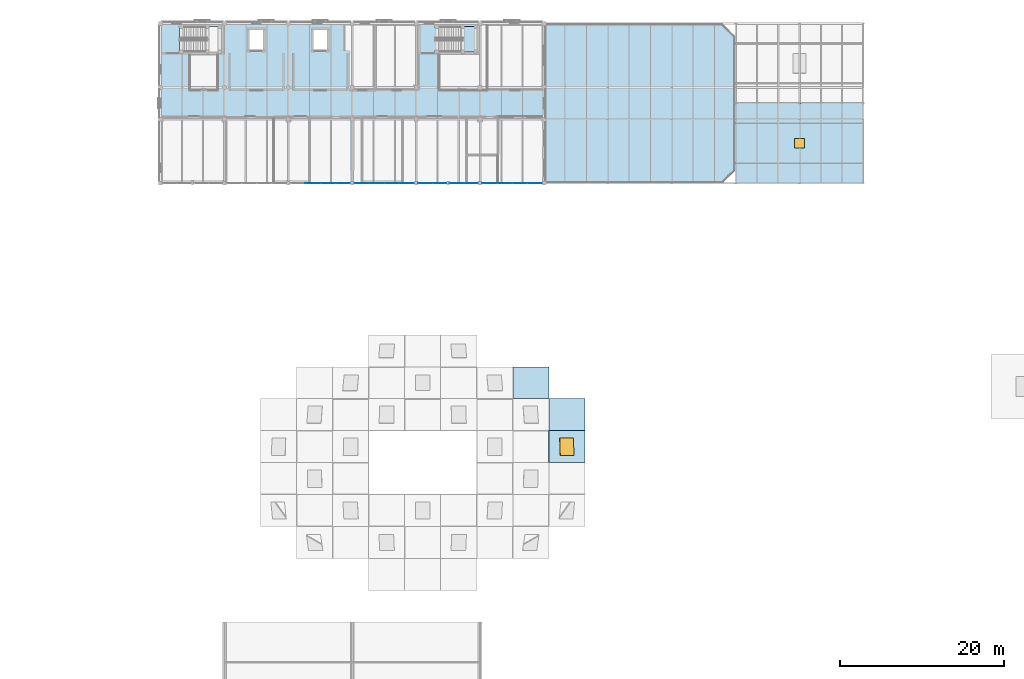
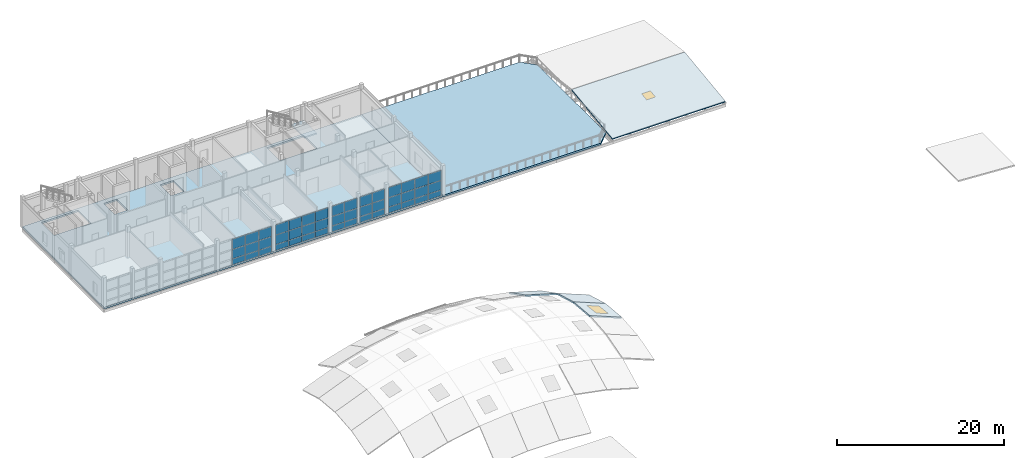
# One storey, part 23 of 45: 45 plates, 7 slabs, 2 windows, 2 openings, 6 elements without a shape of their own.
"""IFC4 building model written with IfcOpenShell, lengths in metres."""

from ifc_helpers import new_model, si_unit, direction, frame, origin, origin_2d, place, context, subcontext, project, spatial, polyline, rectangle, outline, extrude, material, layer, layer_set, type_object, element, fill, aggregate, save


model = new_model("IFC4")

# Units and contexts
model_context = context("Model", 3, precision=1e-05, world=origin(), true_north=direction((0.0, 1.0)))
body_context = subcontext(model_context, "Body", "Model", "MODEL_VIEW")
ifc_project = project(units=[si_unit("LENGTHUNIT", "METRE"), si_unit("AREAUNIT", "SQUARE_METRE"), si_unit("VOLUMEUNIT", "CUBIC_METRE"), si_unit("PLANEANGLEUNIT", "RADIAN"), si_unit("MASSUNIT", "GRAM", prefix="KILO")], contexts=[model_context])

# Site, building, storey
site_placement = place(None, origin())
site = spatial("IfcSite", under=ifc_project, at=site_placement, CompositionType="ELEMENT")
building_placement = place(site_placement, origin())
building = spatial("IfcBuilding", under=site, at=building_placement, Name="Celorna Specialist Clinic", CompositionType="ELEMENT")
storey_placement = place(building_placement, frame((0.0, 0.0, 18.60009765625)))
storey = spatial("IfcBuildingStorey", under=building, at=storey_placement, Name="L04", CompositionType="ELEMENT", Elevation=18.60009765625)

# Curtain wall, plates
ifc_material_1 = material(Name="Thermally broken aluminium and solar-control glass curtain wall", Category="aluminium")
ifc_layer_1 = layer(ifc_material_1, 0.159912109375, Name="Thermally broken aluminium and solar-control glass curtain wall")
ifc_layer_set_1 = layer_set([ifc_layer_1], Name="Thermally broken aluminium and solar-control glass curtain wall")
curtain_wall_type_1 = type_object("IfcCurtainWallType", Name="CW-76", PredefinedType="NOTDEFINED", material=ifc_layer_set_1)
curtain_wall_1_placement = place(storey_placement, origin())
curtain_wall_1 = element("IfcCurtainWall", 1, at=curtain_wall_1_placement, inside=storey, type_object=curtain_wall_type_1, Name="Curtain wall CW-76 #142", PredefinedType="NOTDEFINED")
ifc_material_2 = material(Name="Low-e double glazing", Category="glass")
ifc_layer_2 = layer(ifc_material_2, 0.028076171875, Name="Low-e double glazing")
ifc_layer_set_2 = layer_set([ifc_layer_2], Name="Low-e double glazing")
plate_type_1 = type_object("IfcPlateType", Name="CPN-01", PredefinedType="CURTAIN_PANEL", material=ifc_layer_set_2)
plate_1_placement = place(storey_placement, frame((84.67919921875, 96.5, 0.0498046875), z_axis=(0.0, 0.0, 1.0), x_axis=(-1.0, 0.0, 0.0)))
plate_1 = element("IfcPlate", 2, at=plate_1_placement, type_object=plate_type_1, Name="CW-76 panel 1.1", PredefinedType="CURTAIN_PANEL", context=body_context, shape_type="SweptSolid", body=[
    extrude(rectangle(XDim=1.68359375, YDim=0.028076171875, at=origin_2d()), origin(), (0.0, 0.0, 1.0), 0.824951171875),
])
plate_2_placement = place(storey_placement, frame((84.67919921875, 96.5, 0.9248046875), z_axis=(0.0, 0.0, 1.0), x_axis=(-1.0, 0.0, 0.0)))
plate_2 = element("IfcPlate", 3, at=plate_2_placement, type_object=plate_type_1, Name="CW-76 panel 1.2", PredefinedType="CURTAIN_PANEL", context=body_context, shape_type="SweptSolid", body=[
    extrude(rectangle(XDim=1.68359375, YDim=0.028076171875, at=origin_2d()), origin(), (0.0, 0.0, 1.0), 1.35009765625),
])
plate_3_placement = place(storey_placement, frame((84.67919921875, 96.5, 2.32470703125), z_axis=(0.0, 0.0, 1.0), x_axis=(-1.0, 0.0, 0.0)))
plate_3 = element("IfcPlate", 4, at=plate_3_placement, type_object=plate_type_1, Name="CW-76 panel 1.3", PredefinedType="CURTAIN_PANEL", context=body_context, shape_type="SweptSolid", body=[
    extrude(rectangle(XDim=1.68359375, YDim=0.028076171875, at=origin_2d()), origin(), (0.0, 0.0, 1.0), 1.445068359375),
])
plate_4_placement = place(storey_placement, frame((82.94580078125, 96.5, 0.0498046875), z_axis=(0.0, 0.0, 1.0), x_axis=(-1.0, 0.0, 0.0)))
plate_4 = element("IfcPlate", 5, at=plate_4_placement, type_object=plate_type_1, Name="CW-76 panel 2.1", PredefinedType="CURTAIN_PANEL", context=body_context, shape_type="SweptSolid", body=[
    extrude(rectangle(XDim=1.68359375, YDim=0.028076171875, at=origin_2d()), origin(), (0.0, 0.0, 1.0), 0.824951171875),
])
plate_5_placement = place(storey_placement, frame((82.94580078125, 96.5, 0.9248046875), z_axis=(0.0, 0.0, 1.0), x_axis=(-1.0, 0.0, 0.0)))
plate_5 = element("IfcPlate", 6, at=plate_5_placement, type_object=plate_type_1, Name="CW-76 panel 2.2", PredefinedType="CURTAIN_PANEL", context=body_context, shape_type="SweptSolid", body=[
    extrude(rectangle(XDim=1.68359375, YDim=0.028076171875, at=origin_2d()), origin(), (0.0, 0.0, 1.0), 1.35009765625),
])
plate_6_placement = place(storey_placement, frame((82.94580078125, 96.5, 2.32470703125), z_axis=(0.0, 0.0, 1.0), x_axis=(-1.0, 0.0, 0.0)))
plate_6 = element("IfcPlate", 7, at=plate_6_placement, type_object=plate_type_1, Name="CW-76 panel 2.3", PredefinedType="CURTAIN_PANEL", context=body_context, shape_type="SweptSolid", body=[
    extrude(rectangle(XDim=1.68359375, YDim=0.028076171875, at=origin_2d()), origin(), (0.0, 0.0, 1.0), 1.445068359375),
])
aggregate(curtain_wall_1, [plate_1, plate_2, plate_3, plate_4, plate_5, plate_6])

curtain_wall_2_placement = place(storey_placement, origin())
curtain_wall_2 = element("IfcCurtainWall", 8, at=curtain_wall_2_placement, inside=storey, type_object=curtain_wall_type_1, Name="Curtain wall CW-76 #143", PredefinedType="NOTDEFINED")
plate_7_placement = place(storey_placement, frame((80.854248046875, 96.5, 0.0498046875), z_axis=(0.0, 0.0, 1.0), x_axis=(-1.0, 0.0, 0.0)))
plate_7 = element("IfcPlate", 9, at=plate_7_placement, type_object=plate_type_1, Name="CW-76 panel 1.1", PredefinedType="CURTAIN_PANEL", context=body_context, shape_type="SweptSolid", body=[
    extrude(rectangle(XDim=1.68359375, YDim=0.028076171875, at=origin_2d()), origin(), (0.0, 0.0, 1.0), 0.824951171875),
])
plate_8_placement = place(storey_placement, frame((80.854248046875, 96.5, 0.9248046875), z_axis=(0.0, 0.0, 1.0), x_axis=(-1.0, 0.0, 0.0)))
plate_8 = element("IfcPlate", 10, at=plate_8_placement, type_object=plate_type_1, Name="CW-76 panel 1.2", PredefinedType="CURTAIN_PANEL", context=body_context, shape_type="SweptSolid", body=[
    extrude(rectangle(XDim=1.68359375, YDim=0.028076171875, at=origin_2d()), origin(), (0.0, 0.0, 1.0), 1.35009765625),
])
plate_9_placement = place(storey_placement, frame((80.854248046875, 96.5, 2.32470703125), z_axis=(0.0, 0.0, 1.0), x_axis=(-1.0, 0.0, 0.0)))
plate_9 = element("IfcPlate", 11, at=plate_9_placement, type_object=plate_type_1, Name="CW-76 panel 1.3", PredefinedType="CURTAIN_PANEL", context=body_context, shape_type="SweptSolid", body=[
    extrude(rectangle(XDim=1.68359375, YDim=0.028076171875, at=origin_2d()), origin(), (0.0, 0.0, 1.0), 1.445068359375),
])
plate_10_placement = place(storey_placement, frame((79.120849609375, 96.5, 0.0498046875), z_axis=(0.0, 0.0, 1.0), x_axis=(-1.0, 0.0, 0.0)))
plate_10 = element("IfcPlate", 12, at=plate_10_placement, type_object=plate_type_1, Name="CW-76 panel 2.1", PredefinedType="CURTAIN_PANEL", context=body_context, shape_type="SweptSolid", body=[
    extrude(rectangle(XDim=1.68359375, YDim=0.028076171875, at=origin_2d()), origin(), (0.0, 0.0, 1.0), 0.824951171875),
])
plate_11_placement = place(storey_placement, frame((79.120849609375, 96.5, 0.9248046875), z_axis=(0.0, 0.0, 1.0), x_axis=(-1.0, 0.0, 0.0)))
plate_11 = element("IfcPlate", 13, at=plate_11_placement, type_object=plate_type_1, Name="CW-76 panel 2.2", PredefinedType="CURTAIN_PANEL", context=body_context, shape_type="SweptSolid", body=[
    extrude(rectangle(XDim=1.68359375, YDim=0.028076171875, at=origin_2d()), origin(), (0.0, 0.0, 1.0), 1.35009765625),
])
plate_12_placement = place(storey_placement, frame((79.120849609375, 96.5, 2.32470703125), z_axis=(0.0, 0.0, 1.0), x_axis=(-1.0, 0.0, 0.0)))
plate_12 = element("IfcPlate", 14, at=plate_12_placement, type_object=plate_type_1, Name="CW-76 panel 2.3", PredefinedType="CURTAIN_PANEL", context=body_context, shape_type="SweptSolid", body=[
    extrude(rectangle(XDim=1.68359375, YDim=0.028076171875, at=origin_2d()), origin(), (0.0, 0.0, 1.0), 1.445068359375),
])
aggregate(curtain_wall_2, [plate_7, plate_8, plate_9, plate_10, plate_11, plate_12])

ifc_layer_3 = layer(ifc_material_1, 0.159912109375, Name="Thermally broken aluminium and solar-control glass curtain wall")
ifc_layer_set_3 = layer_set([ifc_layer_3], Name="Thermally broken aluminium and solar-control glass curtain wall")
curtain_wall_type_2 = type_object("IfcCurtainWallType", Name="CW-74", PredefinedType="NOTDEFINED", material=ifc_layer_set_3)
curtain_wall_3_placement = place(storey_placement, origin())
curtain_wall_3 = element("IfcCurtainWall", 15, at=curtain_wall_3_placement, inside=storey, type_object=curtain_wall_type_2, Name="Curtain wall CW-74 #140", PredefinedType="NOTDEFINED")
ifc_material_3 = material(Name="Solar-control triple glazing", Category="glass")
ifc_layer_4 = layer(ifc_material_3, 0.035888671875, Name="Solar-control triple glazing")
ifc_layer_set_4 = layer_set([ifc_layer_4], Name="Solar-control triple glazing")
plate_type_2 = type_object("IfcPlateType", Name="CPN-02", PredefinedType="CURTAIN_PANEL", material=ifc_layer_set_4)
plate_13_placement = place(storey_placement, frame((69.040771484375, 96.5, 0.0498046875), z_axis=(0.0, 0.0, 1.0), x_axis=(-1.0, 0.0, 0.0)))
plate_13 = element("IfcPlate", 16, at=plate_13_placement, type_object=plate_type_2, Name="CW-74 panel 1.1", PredefinedType="CURTAIN_PANEL", context=body_context, shape_type="SweptSolid", body=[
    extrude(rectangle(XDim=1.760498046875, YDim=0.035888671875, at=origin_2d()), origin(), (0.0, 0.0, 1.0), 0.824951171875),
])
plate_14_placement = place(storey_placement, frame((69.040771484375, 96.5, 0.9248046875), z_axis=(0.0, 0.0, 1.0), x_axis=(-1.0, 0.0, 0.0)))
plate_14 = element("IfcPlate", 17, at=plate_14_placement, type_object=plate_type_2, Name="CW-74 panel 1.2", PredefinedType="CURTAIN_PANEL", context=body_context, shape_type="SweptSolid", body=[
    extrude(rectangle(XDim=1.760498046875, YDim=0.035888671875, at=origin_2d()), origin(), (0.0, 0.0, 1.0), 1.35009765625),
])
plate_15_placement = place(storey_placement, frame((69.040771484375, 96.5, 2.32470703125), z_axis=(0.0, 0.0, 1.0), x_axis=(-1.0, 0.0, 0.0)))
plate_15 = element("IfcPlate", 18, at=plate_15_placement, type_object=plate_type_2, Name="CW-74 panel 1.3", PredefinedType="CURTAIN_PANEL", context=body_context, shape_type="SweptSolid", body=[
    extrude(rectangle(XDim=1.760498046875, YDim=0.035888671875, at=origin_2d()), origin(), (0.0, 0.0, 1.0), 1.445068359375),
])
plate_16_placement = place(storey_placement, frame((67.2177734375, 96.5, 0.0498046875), z_axis=(0.0, 0.0, 1.0), x_axis=(-1.0, 0.0, 0.0)))
plate_16 = element("IfcPlate", 19, at=plate_16_placement, type_object=plate_type_2, Name="CW-74 panel 2.1", PredefinedType="CURTAIN_PANEL", context=body_context, shape_type="SweptSolid", body=[
    extrude(rectangle(XDim=1.785400390625, YDim=0.035888671875, at=origin_2d()), origin(), (0.0, 0.0, 1.0), 0.824951171875),
])
plate_17_placement = place(storey_placement, frame((67.2177734375, 96.5, 0.9248046875), z_axis=(0.0, 0.0, 1.0), x_axis=(-1.0, 0.0, 0.0)))
plate_17 = element("IfcPlate", 20, at=plate_17_placement, type_object=plate_type_2, Name="CW-74 panel 2.2", PredefinedType="CURTAIN_PANEL", context=body_context, shape_type="SweptSolid", body=[
    extrude(rectangle(XDim=1.785400390625, YDim=0.035888671875, at=origin_2d()), origin(), (0.0, 0.0, 1.0), 1.35009765625),
])
plate_18_placement = place(storey_placement, frame((67.2177734375, 96.5, 2.32470703125), z_axis=(0.0, 0.0, 1.0), x_axis=(-1.0, 0.0, 0.0)))
plate_18 = element("IfcPlate", 21, at=plate_18_placement, type_object=plate_type_2, Name="CW-74 panel 2.3", PredefinedType="CURTAIN_PANEL", context=body_context, shape_type="SweptSolid", body=[
    extrude(rectangle(XDim=1.785400390625, YDim=0.035888671875, at=origin_2d()), origin(), (0.0, 0.0, 1.0), 1.445068359375),
])
plate_19_placement = place(storey_placement, frame((65.38232421875, 96.5, 0.0498046875), z_axis=(0.0, 0.0, 1.0), x_axis=(-1.0, 0.0, 0.0)))
plate_19 = element("IfcPlate", 22, at=plate_19_placement, type_object=plate_type_2, Name="CW-74 panel 3.1", PredefinedType="CURTAIN_PANEL", context=body_context, shape_type="SweptSolid", body=[
    extrude(rectangle(XDim=1.785400390625, YDim=0.035888671875, at=origin_2d()), origin(), (0.0, 0.0, 1.0), 0.824951171875),
])
plate_20_placement = place(storey_placement, frame((65.38232421875, 96.5, 0.9248046875), z_axis=(0.0, 0.0, 1.0), x_axis=(-1.0, 0.0, 0.0)))
plate_20 = element("IfcPlate", 23, at=plate_20_placement, type_object=plate_type_2, Name="CW-74 panel 3.2", PredefinedType="CURTAIN_PANEL", context=body_context, shape_type="SweptSolid", body=[
    extrude(rectangle(XDim=1.785400390625, YDim=0.035888671875, at=origin_2d()), origin(), (0.0, 0.0, 1.0), 1.35009765625),
])
plate_21_placement = place(storey_placement, frame((65.38232421875, 96.5, 2.32470703125), z_axis=(0.0, 0.0, 1.0), x_axis=(-1.0, 0.0, 0.0)))
plate_21 = element("IfcPlate", 24, at=plate_21_placement, type_object=plate_type_2, Name="CW-74 panel 3.3", PredefinedType="CURTAIN_PANEL", context=body_context, shape_type="SweptSolid", body=[
    extrude(rectangle(XDim=1.785400390625, YDim=0.035888671875, at=origin_2d()), origin(), (0.0, 0.0, 1.0), 1.445068359375),
])
aggregate(curtain_wall_3, [plate_13, plate_14, plate_15, plate_16, plate_17, plate_18, plate_19, plate_20, plate_21])

curtain_wall_4_placement = place(storey_placement, origin())
curtain_wall_4 = element("IfcCurtainWall", 25, at=curtain_wall_4_placement, inside=storey, type_object=curtain_wall_type_2, Name="Curtain wall CW-74 #144", PredefinedType="NOTDEFINED")
plate_22_placement = place(storey_placement, frame((92.440673828125, 96.5, 0.0498046875), z_axis=(0.0, 0.0, 1.0), x_axis=(-1.0, 0.0, 0.0)))
plate_22 = element("IfcPlate", 26, at=plate_22_placement, type_object=plate_type_2, Name="CW-74 panel 1.1", PredefinedType="CURTAIN_PANEL", context=body_context, shape_type="SweptSolid", body=[
    extrude(rectangle(XDim=1.760498046875, YDim=0.035888671875, at=origin_2d()), origin(), (0.0, 0.0, 1.0), 0.824951171875),
])
plate_23_placement = place(storey_placement, frame((92.440673828125, 96.5, 0.9248046875), z_axis=(0.0, 0.0, 1.0), x_axis=(-1.0, 0.0, 0.0)))
plate_23 = element("IfcPlate", 27, at=plate_23_placement, type_object=plate_type_2, Name="CW-74 panel 1.2", PredefinedType="CURTAIN_PANEL", context=body_context, shape_type="SweptSolid", body=[
    extrude(rectangle(XDim=1.760498046875, YDim=0.035888671875, at=origin_2d()), origin(), (0.0, 0.0, 1.0), 1.35009765625),
])
plate_24_placement = place(storey_placement, frame((92.440673828125, 96.5, 2.32470703125), z_axis=(0.0, 0.0, 1.0), x_axis=(-1.0, 0.0, 0.0)))
plate_24 = element("IfcPlate", 28, at=plate_24_placement, type_object=plate_type_2, Name="CW-74 panel 1.3", PredefinedType="CURTAIN_PANEL", context=body_context, shape_type="SweptSolid", body=[
    extrude(rectangle(XDim=1.760498046875, YDim=0.035888671875, at=origin_2d()), origin(), (0.0, 0.0, 1.0), 1.445068359375),
])
plate_25_placement = place(storey_placement, frame((90.61767578125, 96.5, 0.0498046875), z_axis=(0.0, 0.0, 1.0), x_axis=(-1.0, 0.0, 0.0)))
plate_25 = element("IfcPlate", 29, at=plate_25_placement, type_object=plate_type_2, Name="CW-74 panel 2.1", PredefinedType="CURTAIN_PANEL", context=body_context, shape_type="SweptSolid", body=[
    extrude(rectangle(XDim=1.785400390625, YDim=0.035888671875, at=origin_2d()), origin(), (0.0, 0.0, 1.0), 0.824951171875),
])
plate_26_placement = place(storey_placement, frame((90.61767578125, 96.5, 0.9248046875), z_axis=(0.0, 0.0, 1.0), x_axis=(-1.0, 0.0, 0.0)))
plate_26 = element("IfcPlate", 30, at=plate_26_placement, type_object=plate_type_2, Name="CW-74 panel 2.2", PredefinedType="CURTAIN_PANEL", context=body_context, shape_type="SweptSolid", body=[
    extrude(rectangle(XDim=1.785400390625, YDim=0.035888671875, at=origin_2d()), origin(), (0.0, 0.0, 1.0), 1.35009765625),
])
plate_27_placement = place(storey_placement, frame((90.61767578125, 96.5, 2.32470703125), z_axis=(0.0, 0.0, 1.0), x_axis=(-1.0, 0.0, 0.0)))
plate_27 = element("IfcPlate", 31, at=plate_27_placement, type_object=plate_type_2, Name="CW-74 panel 2.3", PredefinedType="CURTAIN_PANEL", context=body_context, shape_type="SweptSolid", body=[
    extrude(rectangle(XDim=1.785400390625, YDim=0.035888671875, at=origin_2d()), origin(), (0.0, 0.0, 1.0), 1.445068359375),
])
plate_28_placement = place(storey_placement, frame((88.7822265625, 96.5, 0.0498046875), z_axis=(0.0, 0.0, 1.0), x_axis=(-1.0, 0.0, 0.0)))
plate_28 = element("IfcPlate", 32, at=plate_28_placement, type_object=plate_type_2, Name="CW-74 panel 3.1", PredefinedType="CURTAIN_PANEL", context=body_context, shape_type="SweptSolid", body=[
    extrude(rectangle(XDim=1.785400390625, YDim=0.035888671875, at=origin_2d()), origin(), (0.0, 0.0, 1.0), 0.824951171875),
])
plate_29_placement = place(storey_placement, frame((88.7822265625, 96.5, 0.9248046875), z_axis=(0.0, 0.0, 1.0), x_axis=(-1.0, 0.0, 0.0)))
plate_29 = element("IfcPlate", 33, at=plate_29_placement, type_object=plate_type_2, Name="CW-74 panel 3.2", PredefinedType="CURTAIN_PANEL", context=body_context, shape_type="SweptSolid", body=[
    extrude(rectangle(XDim=1.785400390625, YDim=0.035888671875, at=origin_2d()), origin(), (0.0, 0.0, 1.0), 1.35009765625),
])
plate_30_placement = place(storey_placement, frame((88.7822265625, 96.5, 2.32470703125), z_axis=(0.0, 0.0, 1.0), x_axis=(-1.0, 0.0, 0.0)))
plate_30 = element("IfcPlate", 34, at=plate_30_placement, type_object=plate_type_2, Name="CW-74 panel 3.3", PredefinedType="CURTAIN_PANEL", context=body_context, shape_type="SweptSolid", body=[
    extrude(rectangle(XDim=1.785400390625, YDim=0.035888671875, at=origin_2d()), origin(), (0.0, 0.0, 1.0), 1.445068359375),
])
plate_31_placement = place(storey_placement, frame((86.959228515625, 96.5, 0.0498046875), z_axis=(0.0, 0.0, 1.0), x_axis=(-1.0, 0.0, 0.0)))
plate_31 = element("IfcPlate", 35, at=plate_31_placement, type_object=plate_type_2, Name="CW-74 panel 4.1", PredefinedType="CURTAIN_PANEL", context=body_context, shape_type="SweptSolid", body=[
    extrude(rectangle(XDim=1.760498046875, YDim=0.035888671875, at=origin_2d()), origin(), (0.0, 0.0, 1.0), 0.824951171875),
])
plate_32_placement = place(storey_placement, frame((86.959228515625, 96.5, 0.9248046875), z_axis=(0.0, 0.0, 1.0), x_axis=(-1.0, 0.0, 0.0)))
plate_32 = element("IfcPlate", 36, at=plate_32_placement, type_object=plate_type_2, Name="CW-74 panel 4.2", PredefinedType="CURTAIN_PANEL", context=body_context, shape_type="SweptSolid", body=[
    extrude(rectangle(XDim=1.760498046875, YDim=0.035888671875, at=origin_2d()), origin(), (0.0, 0.0, 1.0), 1.35009765625),
])
plate_33_placement = place(storey_placement, frame((86.959228515625, 96.5, 2.32470703125), z_axis=(0.0, 0.0, 1.0), x_axis=(-1.0, 0.0, 0.0)))
plate_33 = element("IfcPlate", 37, at=plate_33_placement, type_object=plate_type_2, Name="CW-74 panel 4.3", PredefinedType="CURTAIN_PANEL", context=body_context, shape_type="SweptSolid", body=[
    extrude(rectangle(XDim=1.760498046875, YDim=0.035888671875, at=origin_2d()), origin(), (0.0, 0.0, 1.0), 1.445068359375),
])
aggregate(curtain_wall_4, [plate_22, plate_23, plate_24, plate_25, plate_26, plate_27, plate_28, plate_29, plate_30, plate_31, plate_32, plate_33])

ifc_layer_5 = layer(ifc_material_1, 0.159912109375, Name="Thermally broken aluminium and solar-control glass curtain wall")
ifc_layer_set_5 = layer_set([ifc_layer_5], Name="Thermally broken aluminium and solar-control glass curtain wall")
curtain_wall_type_3 = type_object("IfcCurtainWallType", Name="CW-75", PredefinedType="NOTDEFINED", material=ifc_layer_set_5)
curtain_wall_5_placement = place(storey_placement, origin())
curtain_wall_5 = element("IfcCurtainWall", 38, at=curtain_wall_5_placement, inside=storey, type_object=curtain_wall_type_3, Name="Curtain wall CW-75 #141", PredefinedType="NOTDEFINED")
ifc_material_4 = material(Name="Glazed polychrome ceramic insulated spandrel")
ifc_layer_6 = layer(ifc_material_4, 0.0439453125, Name="Glazed polychrome ceramic insulated spandrel")
ifc_layer_set_6 = layer_set([ifc_layer_6], Name="Glazed polychrome ceramic insulated spandrel")
plate_type_3 = type_object("IfcPlateType", Name="CPN-03", PredefinedType="CURTAIN_PANEL", material=ifc_layer_set_6)
plate_34_placement = place(storey_placement, frame((76.8408203125, 96.5, 0.0498046875), z_axis=(0.0, 0.0, 1.0), x_axis=(-1.0, 0.0, 0.0)))
plate_34 = element("IfcPlate", 39, at=plate_34_placement, type_object=plate_type_3, Name="CW-75 panel 1.1", PredefinedType="CURTAIN_PANEL", context=body_context, shape_type="SweptSolid", body=[
    extrude(rectangle(XDim=1.760498046875, YDim=0.0439453125, at=origin_2d()), origin(), (0.0, 0.0, 1.0), 0.824951171875),
])
plate_35_placement = place(storey_placement, frame((76.8408203125, 96.5, 0.9248046875), z_axis=(0.0, 0.0, 1.0), x_axis=(-1.0, 0.0, 0.0)))
plate_35 = element("IfcPlate", 40, at=plate_35_placement, type_object=plate_type_3, Name="CW-75 panel 1.2", PredefinedType="CURTAIN_PANEL", context=body_context, shape_type="SweptSolid", body=[
    extrude(rectangle(XDim=1.760498046875, YDim=0.0439453125, at=origin_2d()), origin(), (0.0, 0.0, 1.0), 1.35009765625),
])
plate_36_placement = place(storey_placement, frame((76.8408203125, 96.5, 2.32470703125), z_axis=(0.0, 0.0, 1.0), x_axis=(-1.0, 0.0, 0.0)))
plate_36 = element("IfcPlate", 41, at=plate_36_placement, type_object=plate_type_3, Name="CW-75 panel 1.3", PredefinedType="CURTAIN_PANEL", context=body_context, shape_type="SweptSolid", body=[
    extrude(rectangle(XDim=1.760498046875, YDim=0.0439453125, at=origin_2d()), origin(), (0.0, 0.0, 1.0), 1.445068359375),
])
plate_37_placement = place(storey_placement, frame((75.017822265625, 96.5, 0.0498046875), z_axis=(0.0, 0.0, 1.0), x_axis=(-1.0, 0.0, 0.0)))
plate_37 = element("IfcPlate", 42, at=plate_37_placement, type_object=plate_type_3, Name="CW-75 panel 2.1", PredefinedType="CURTAIN_PANEL", context=body_context, shape_type="SweptSolid", body=[
    extrude(rectangle(XDim=1.785400390625, YDim=0.0439453125, at=origin_2d()), origin(), (0.0, 0.0, 1.0), 0.824951171875),
])
plate_38_placement = place(storey_placement, frame((75.017822265625, 96.5, 0.9248046875), z_axis=(0.0, 0.0, 1.0), x_axis=(-1.0, 0.0, 0.0)))
plate_38 = element("IfcPlate", 43, at=plate_38_placement, type_object=plate_type_3, Name="CW-75 panel 2.2", PredefinedType="CURTAIN_PANEL", context=body_context, shape_type="SweptSolid", body=[
    extrude(rectangle(XDim=1.785400390625, YDim=0.0439453125, at=origin_2d()), origin(), (0.0, 0.0, 1.0), 1.35009765625),
])
plate_39_placement = place(storey_placement, frame((75.017822265625, 96.5, 2.32470703125), z_axis=(0.0, 0.0, 1.0), x_axis=(-1.0, 0.0, 0.0)))
plate_39 = element("IfcPlate", 44, at=plate_39_placement, type_object=plate_type_3, Name="CW-75 panel 2.3", PredefinedType="CURTAIN_PANEL", context=body_context, shape_type="SweptSolid", body=[
    extrude(rectangle(XDim=1.785400390625, YDim=0.0439453125, at=origin_2d()), origin(), (0.0, 0.0, 1.0), 1.445068359375),
])
plate_40_placement = place(storey_placement, frame((73.18212890625, 96.5, 0.0498046875), z_axis=(0.0, 0.0, 1.0), x_axis=(-1.0, 0.0, 0.0)))
plate_40 = element("IfcPlate", 45, at=plate_40_placement, type_object=plate_type_3, Name="CW-75 panel 3.1", PredefinedType="CURTAIN_PANEL", context=body_context, shape_type="SweptSolid", body=[
    extrude(rectangle(XDim=1.785400390625, YDim=0.0439453125, at=origin_2d()), origin(), (0.0, 0.0, 1.0), 0.824951171875),
])
plate_41_placement = place(storey_placement, frame((73.18212890625, 96.5, 0.9248046875), z_axis=(0.0, 0.0, 1.0), x_axis=(-1.0, 0.0, 0.0)))
plate_41 = element("IfcPlate", 46, at=plate_41_placement, type_object=plate_type_3, Name="CW-75 panel 3.2", PredefinedType="CURTAIN_PANEL", context=body_context, shape_type="SweptSolid", body=[
    extrude(rectangle(XDim=1.785400390625, YDim=0.0439453125, at=origin_2d()), origin(), (0.0, 0.0, 1.0), 1.35009765625),
])
plate_42_placement = place(storey_placement, frame((73.18212890625, 96.5, 2.32470703125), z_axis=(0.0, 0.0, 1.0), x_axis=(-1.0, 0.0, 0.0)))
plate_42 = element("IfcPlate", 47, at=plate_42_placement, type_object=plate_type_3, Name="CW-75 panel 3.3", PredefinedType="CURTAIN_PANEL", context=body_context, shape_type="SweptSolid", body=[
    extrude(rectangle(XDim=1.785400390625, YDim=0.0439453125, at=origin_2d()), origin(), (0.0, 0.0, 1.0), 1.445068359375),
])
plate_43_placement = place(storey_placement, frame((71.359130859375, 96.5, 0.0498046875), z_axis=(0.0, 0.0, 1.0), x_axis=(-1.0, 0.0, 0.0)))
plate_43 = element("IfcPlate", 48, at=plate_43_placement, type_object=plate_type_3, Name="CW-75 panel 4.1", PredefinedType="CURTAIN_PANEL", context=body_context, shape_type="SweptSolid", body=[
    extrude(rectangle(XDim=1.760498046875, YDim=0.0439453125, at=origin_2d()), origin(), (0.0, 0.0, 1.0), 0.824951171875),
])
plate_44_placement = place(storey_placement, frame((71.359130859375, 96.5, 0.9248046875), z_axis=(0.0, 0.0, 1.0), x_axis=(-1.0, 0.0, 0.0)))
plate_44 = element("IfcPlate", 49, at=plate_44_placement, type_object=plate_type_3, Name="CW-75 panel 4.2", PredefinedType="CURTAIN_PANEL", context=body_context, shape_type="SweptSolid", body=[
    extrude(rectangle(XDim=1.760498046875, YDim=0.0439453125, at=origin_2d()), origin(), (0.0, 0.0, 1.0), 1.35009765625),
])
plate_45_placement = place(storey_placement, frame((71.359130859375, 96.5, 2.32470703125), z_axis=(0.0, 0.0, 1.0), x_axis=(-1.0, 0.0, 0.0)))
plate_45 = element("IfcPlate", 50, at=plate_45_placement, type_object=plate_type_3, Name="CW-75 panel 4.3", PredefinedType="CURTAIN_PANEL", context=body_context, shape_type="SweptSolid", body=[
    extrude(rectangle(XDim=1.760498046875, YDim=0.0439453125, at=origin_2d()), origin(), (0.0, 0.0, 1.0), 1.445068359375),
])
aggregate(curtain_wall_5, [plate_34, plate_35, plate_36, plate_37, plate_38, plate_39, plate_40, plate_41, plate_42, plate_43, plate_44, plate_45])

# Slabs
ifc_material_5 = material(Name="Concrete C35/45", Category="concrete")
ifc_layer_7 = layer(ifc_material_5, 0.260009765625, Name="Concrete C35/45")
ifc_layer_set_7 = layer_set([ifc_layer_7], Name="Concrete C35/45")
slab_type_1 = type_object("IfcSlabType", Name="SL-07", PredefinedType="FLOOR", material=ifc_layer_set_7)
slab_1_placement = place(storey_placement, frame((0.0, 0.0, -0.260009765625)))
element("IfcSlab", 51, at=slab_1_placement, inside=storey, type_object=slab_type_1, Name="Ophthalmology Roof Garden Terrace", PredefinedType="FLOOR", context=body_context, shape_type="SweptSolid", body=[
    extrude(outline(polyline([(93.60009765625, 96.5), (115.39990234375, 96.5), (117.0, 98.10009765625), (117.0, 114.39990234375), (115.39990234375, 116.0), (93.60009765625, 116.0), (93.60009765625, 96.5)])), origin(), (0.0, 0.0, 1.0), 0.260009765625),
])
ifc_layer_8 = layer(ifc_material_5, 0.239990234375, Name="Concrete C35/45")
ifc_layer_set_8 = layer_set([ifc_layer_8], Name="Concrete C35/45")
slab_type_2 = type_object("IfcSlabType", Name="SL-09", PredefinedType="FLOOR", material=ifc_layer_set_8)
slab_2_placement = place(storey_placement, frame((0.0, 0.0, -0.239990234375)))
element("IfcSlab", 52, at=slab_2_placement, inside=storey, type_object=slab_type_2, Name="V4 L04 structural slab SL-09", PredefinedType="FLOOR", context=body_context, shape_type="SweptSolid", body=[
    extrude(outline(polyline([(93.60009765625, 96.5), (93.60009765625, 116.0), (46.800048828125, 116.0), (46.800048828125, 96.5), (93.60009765625, 96.5)]), holes=[polyline([(49.139892578125, 112.52001953125), (54.239990234375, 112.52001953125), (54.239990234375, 115.6201171875), (49.139892578125, 115.6201171875), (49.139892578125, 112.52001953125)]), polyline([(80.340087890625, 112.52001953125), (85.43994140625, 112.52001953125), (85.43994140625, 115.6201171875), (80.340087890625, 115.6201171875), (80.340087890625, 112.52001953125)]), polyline([(57.594970703125, 112.695068359375), (59.405029296875, 112.695068359375), (59.405029296875, 115.304931640625), (57.594970703125, 115.304931640625), (57.594970703125, 112.695068359375)]), polyline([(65.39501953125, 112.695068359375), (67.205078125, 112.695068359375), (67.205078125, 115.304931640625), (65.39501953125, 115.304931640625), (65.39501953125, 112.695068359375)])]), origin(), (0.0, 0.0, 1.0), 0.239990234375),
])

# Stair, slab
stair_type = type_object("IfcStairType", Name="ST-01", PredefinedType="HALF_TURN_STAIR", material=ifc_material_5)
stair_placement = place(storey_placement, origin())
stair = element("IfcStair", 53, at=stair_placement, inside=storey, type_object=stair_type, Name="L04 Protected exit stair ST-02", PredefinedType="HALF_TURN_STAIR")
ifc_layer_9 = layer(ifc_material_5, 0.199951171875, Name="Concrete C35/45")
ifc_layer_set_9 = layer_set([ifc_layer_9], Name="Concrete C35/45")
slab_type_3 = type_object("IfcSlabType", Name="SL-11", PredefinedType="LANDING", material=ifc_layer_set_9)
slab_3_placement = place(storey_placement, frame((0.0, 0.0, 2.0498046875)))
slab_3 = element("IfcSlab", 54, at=slab_3_placement, type_object=slab_type_3, Name="ST-02 landing 1", PredefinedType="LANDING", context=body_context, shape_type="SweptSolid", body=[
    extrude(outline(polyline([(83.699951171875, 112.52001953125), (85.43994140625, 112.52001953125), (85.43994140625, 115.6201171875), (83.699951171875, 115.6201171875), (83.699951171875, 112.52001953125)])), origin(), (0.0, 0.0, 1.0), 0.2001953125),
])
aggregate(stair, [slab_3])

# Slab
ifc_material_6 = material(Name="Glulam GL28h insulated roof deck", Category="wood")
ifc_layer_10 = layer(ifc_material_6, 0.179931640625, Name="Glulam GL28h insulated roof deck")
ifc_layer_set_10 = layer_set([ifc_layer_10], Name="Glulam GL28h insulated roof deck")
slab_type_4 = type_object("IfcSlabType", Name="SL-12", PredefinedType="ROOF", material=ifc_layer_set_10)
slab_4_placement = place(storey_placement, frame((89.800048828125, 70.199951171875, 2.72216796875), z_axis=(0.251877606136, 0.441164477203, 0.861354500529), x_axis=(0.959805314986, 0.0, -0.280666630229)))
element("IfcSlab", 55, at=slab_4_placement, inside=storey, type_object=slab_type_4, Name="GSH-V1 translational gridshell roof facet 9-7", PredefinedType="ROOF", context=body_context, shape_type="SweptSolid", body=[
    extrude(outline(polyline([(0.0, 0.0), (4.58416126171617, 0.0), (5.144809300908005, 4.345924149268773), (0.5606480391918346, 4.345924149268773), (0.0, 0.0)])), origin(), (0.0, 0.0, -1.0), 0.179931640625),
])

# Slab, opening, window
slab_5_placement = place(storey_placement, frame((94.199951171875, 62.39990234375, 2.900146484375), z_axis=(0.372903235701, 0.084477389666, 0.924016638075), x_axis=(0.927331544217, -2.008179e-06, -0.374240841032)))
slab_5 = element("IfcSlab", 56, at=slab_5_placement, inside=storey, type_object=slab_type_4, Name="GSH-V1 translational gridshell roof facet 10-5", PredefinedType="ROOF", context=body_context, shape_type="SweptSolid", body=[
    extrude(outline(polyline([(0.0, 0.0), (4.744909682189021, 0.0), (4.878389610922046, 3.9141478078192202), (0.13338856134019503, 3.914128682014272), (0.0, 0.0)])), origin(), (0.0, 0.0, -1.0), 0.179931640625),
])
opening_1_placement = place(slab_5_placement, frame((2.43896484375, 1.957275390625, 0.010009765625)))
opening_1 = element("IfcOpeningElement", 57, at=opening_1_placement, cuts=slab_5, Name="Opening SK-03", PredefinedType="OPENING", context=body_context, shape_type="SweptSolid", body=[
    extrude(rectangle(XDim=1.800048828125, YDim=2.139892578125, at=origin_2d()), origin(), (0.0, 0.0, -1.0), 0.199951171875),
])
ifc_material_7 = material(Name="Gridshell crown acoustic skylight")
window_type_1 = type_object("IfcWindowType", Name="SK-03", PartitioningType="SINGLE_PANEL", PredefinedType="SKYLIGHT", material=ifc_material_7)
window_1_placement = place(opening_1_placement, frame((0.0, 0.0, -0.010009765625)))
window_1 = element("IfcWindow", 58, at=window_1_placement, inside=storey, type_object=window_type_1, Name="GSH-V1 gridshell skylight 10-5", OverallHeight=2.139892578125, OverallWidth=1.800048828125, PartitioningType="SINGLE_PANEL", PredefinedType="SKYLIGHT", context=body_context, shape_type="SweptSolid", body=[
    extrude(rectangle(XDim=1.800048828125, YDim=2.139892578125, at=origin_2d()), origin(), (0.0, 0.0, -1.0), 0.050048828125),
])
fill(opening_1, window_1)

# Slab
slab_6_placement = place(storey_placement, frame((94.199951171875, 66.300048828125, 2.543701171875), z_axis=(0.361910023393, 0.254800866193, 0.896714923236), x_axis=(0.927322552117, 0.0, -0.374263121794)))
element("IfcSlab", 59, at=slab_6_placement, inside=storey, type_object=slab_type_4, Name="GSH-V1 translational gridshell roof facet 10-6", PredefinedType="ROOF", context=body_context, shape_type="SweptSolid", body=[
    extrude(outline(polyline([(0.0, 0.0), (4.745001050961039, -5.551115123125783e-17), (5.159742337539265, 4.033017964462433), (0.41474128657822534, 4.033017964462433), (0.0, 0.0)])), origin(), (0.0, 0.0, -1.0), 0.179931640625),
])

# Slab, opening, window
ifc_material_8 = material(Name="Precast concrete C40/50", Category="concrete")
ifc_layer_11 = layer(ifc_material_8, 0.159912109375, Name="Precast concrete C40/50")
ifc_layer_set_11 = layer_set([ifc_layer_11], Name="Precast concrete C40/50")
slab_type_5 = type_object("IfcSlabType", Name="SL-13", PredefinedType="ROOF", material=ifc_layer_set_11)
slab_7_placement = place(storey_placement, frame((117.0, 96.5, 0.079833984375), z_axis=(0.0, -0.129167216148, 0.991622826619), x_axis=(1.0, 0.0, 0.0)))
slab_7 = element("IfcSlab", 60, at=slab_7_placement, inside=storey, type_object=slab_type_5, Name="Sloped roof slab ROOF-V4-MID-S", PredefinedType="ROOF", context=body_context, shape_type="SweptSolid", body=[
    extrude(outline(polyline([(0.0, 0.0), (15.60009765625, 0.0), (15.60009765625, 9.832367446843941), (0.0, 9.832367446843941), (0.0, 0.0)])), origin(), (0.0, 0.0, -1.0), 0.159912109375),
])
opening_2_placement = place(slab_7_placement, frame((7.800048828125, 4.916259765625, 0.010009765625)))
opening_2 = element("IfcOpeningElement", 61, at=opening_2_placement, cuts=slab_7, Name="Opening SK-04", PredefinedType="OPENING", context=body_context, shape_type="SweptSolid", body=[
    extrude(rectangle(XDim=1.199951171875, YDim=1.199951171875, at=origin_2d()), origin(), (0.0, 0.0, -1.0), 0.179931640625),
])
ifc_material_9 = material(Name="Insulated roof maintenance access skylight hatch")
window_type_2 = type_object("IfcWindowType", Name="SK-04", PartitioningType="SINGLE_PANEL", PredefinedType="SKYLIGHT", material=ifc_material_9)
window_2_placement = place(opening_2_placement, frame((0.0, 0.0, -0.010009765625)))
window_2 = element("IfcWindow", 62, at=window_2_placement, inside=storey, type_object=window_type_2, Name="Roof skylight SK-04 on ROOF-V4-MID-S", OverallHeight=1.199951171875, OverallWidth=1.199951171875, PartitioningType="SINGLE_PANEL", PredefinedType="SKYLIGHT", context=body_context, shape_type="SweptSolid", body=[
    extrude(rectangle(XDim=1.199951171875, YDim=1.199951171875, at=origin_2d()), origin(), (0.0, 0.0, -1.0), 0.050048828125),
])
fill(opening_2, window_2)

save(model, "model.ifc")
